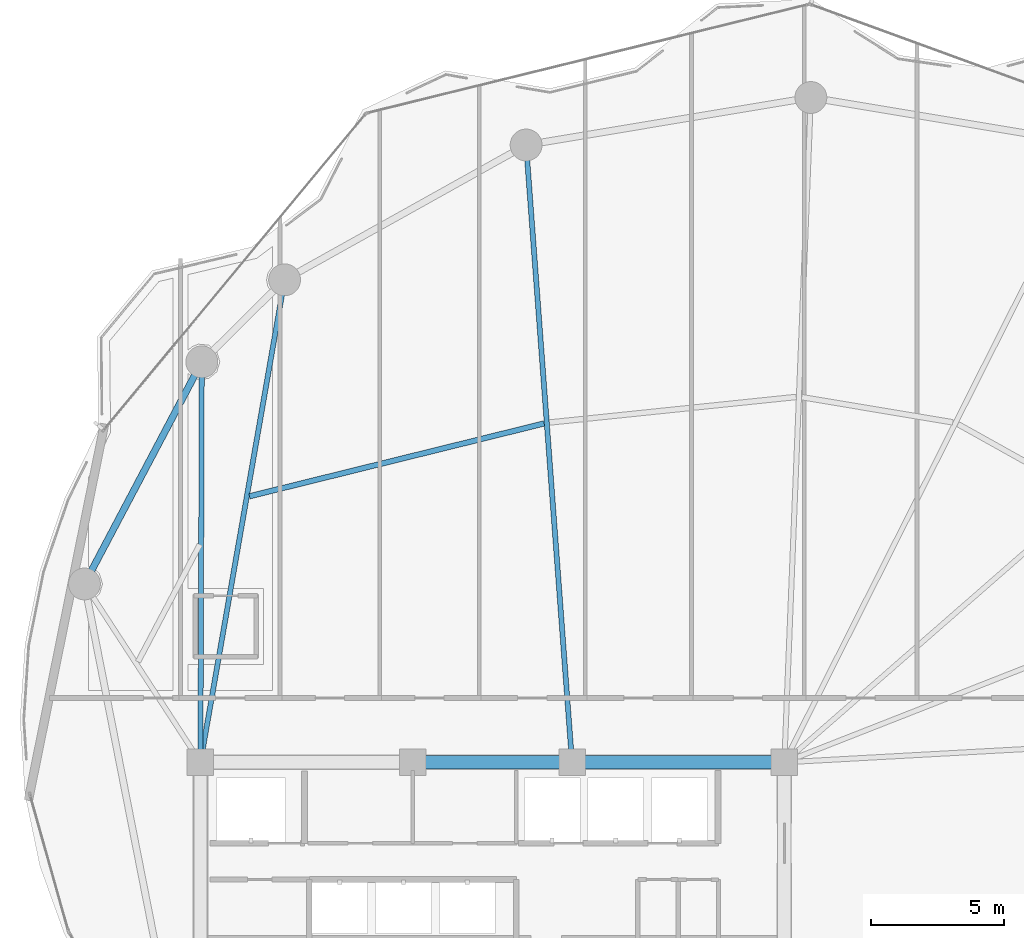
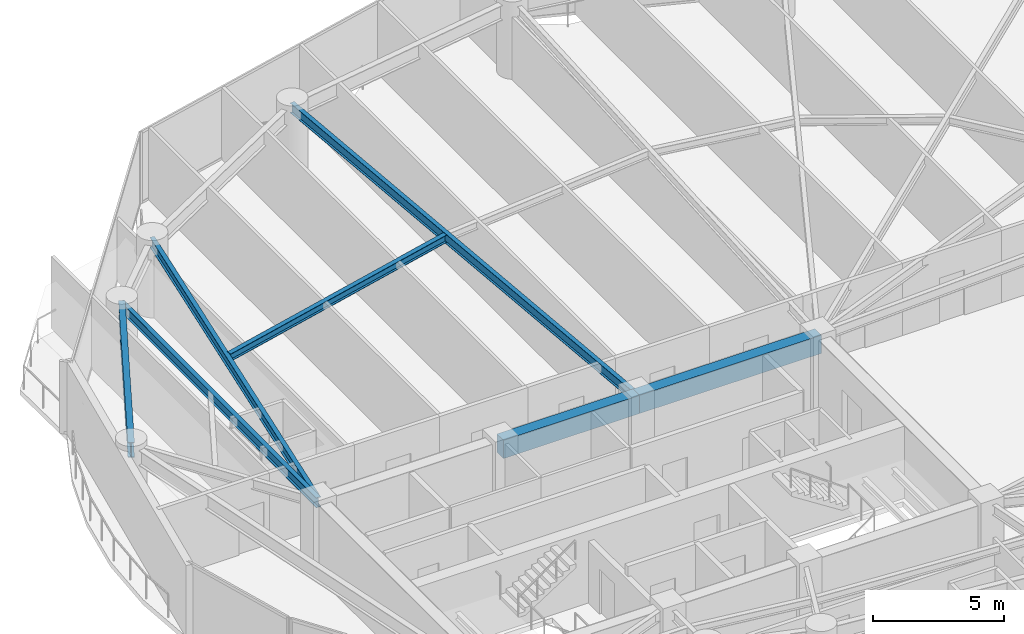
# One storey, part 8 of 28: 7 beams.
"""IFC4 building model written with IfcOpenShell, lengths in metres."""

from ifc_helpers import new_model, si_unit, direction, frame, origin, origin_2d, place, context, subcontext, project, spatial, rectangle, i_section, extrude, material, material_profile, profile_set, type_object, element, save


model = new_model("IFC4")

# Units and contexts
model_context = context("Model", 3, precision=1e-05, world=origin(), true_north=direction((0.0, 1.0)))
body_context = subcontext(model_context, "Body", "Model", "MODEL_VIEW")
ifc_project = project(units=[si_unit("LENGTHUNIT", "METRE"), si_unit("AREAUNIT", "SQUARE_METRE"), si_unit("VOLUMEUNIT", "CUBIC_METRE"), si_unit("PLANEANGLEUNIT", "RADIAN"), si_unit("MASSUNIT", "GRAM", prefix="KILO")], contexts=[model_context])

# Site, building, storey
site_placement = place(None, origin())
site = spatial("IfcSite", under=ifc_project, at=site_placement, CompositionType="ELEMENT")
building_placement = place(site_placement, origin())
building = spatial("IfcBuilding", under=site, at=building_placement, Name="Kazevale Care Tower and Concert Hall", CompositionType="ELEMENT")
storey_placement = place(building_placement, frame((0.0, 0.0, 120.60009765625)))
storey = spatial("IfcBuildingStorey", under=building, at=storey_placement, Name="L31", CompositionType="ELEMENT", Elevation=120.60009765625)

# Beams
ifc_material_1 = material(Name="Concrete C60", Category="concrete")
ifc_material_profile_1 = material_profile(ifc_material_1, rectangle(XDim=0.5, YDim=0.85009765625, at=origin_2d()), Name="RC-B500x850")
ifc_profile_set_1 = profile_set([ifc_material_profile_1], Name="Concrete C60")
beam_type_1 = type_object("IfcBeamType", Name="Core Coupling Beam RC500x850", PredefinedType="LINTEL", material=ifc_profile_set_1)
beam_1_placement = place(storey_placement, frame((44.0, 36.39990234375, 2.934814453125), z_axis=(-1.0, 0.0, 0.0), x_axis=(0.0, -1.0, 0.0)))
element("IfcBeam", 1, at=beam_1_placement, inside=storey, type_object=beam_type_1, Name="beam:L31:coretie:5", PredefinedType="LINTEL", context=body_context, shape_type="SweptSolid", body=[
    extrude(rectangle(XDim=0.5, YDim=0.85009765625, at=origin_2d()), origin(), (0.0, 0.0, 1.0), 8.0),
])
beam_2_placement = place(storey_placement, frame((36.0, 36.39990234375, 2.934814453125), z_axis=(-1.0, 0.0, 0.0), x_axis=(0.0, -1.0, 0.0)))
element("IfcBeam", 2, at=beam_2_placement, inside=storey, type_object=beam_type_1, Name="beam:L31:coretie:6", PredefinedType="LINTEL", context=body_context, shape_type="SweptSolid", body=[
    extrude(rectangle(XDim=0.5, YDim=0.85009765625, at=origin_2d()), origin(), (0.0, 0.0, 1.0), 6.0),
])
ifc_material_2 = material(Name="Steel ASTM A572 Gr 50", Category="steel")
ifc_material_profile_2 = material_profile(ifc_material_2, i_section(OverallWidth=0.19091796875, OverallDepth=0.4599609375, WebThickness=0.010009765625, FlangeThickness=0.01611328125, at=origin_2d()), Name="W460x82")
ifc_profile_set_2 = profile_set([ifc_material_profile_2], Name="Steel ASTM A572 Gr 50")
beam_type_2 = type_object("IfcBeamType", Name="Radial Floor Beam W460x82", PredefinedType="BEAM", material=ifc_profile_set_2)
beam_3_placement = place(storey_placement, frame((36.0, 36.39990234375, 3.1298828125), z_axis=(-0.074170876808, 0.997245547011, 0.0), x_axis=(-0.997245547011, -0.074170876808, 0.0)))
element("IfcBeam", 3, at=beam_3_placement, inside=storey, type_object=beam_type_2, Name="beam:L31:rad:06", PredefinedType="BEAM", context=body_context, shape_type="SweptSolid", body=[
    extrude(i_section(OverallWidth=0.19091796875, OverallDepth=0.4599609375, WebThickness=0.010009765625, FlangeThickness=0.01611328125, at=origin_2d()), origin(), (0.0, 0.0, 1.0), 23.32421875),
])
beam_4_placement = place(storey_placement, frame((22.0, 36.39990234375, 3.1298828125), z_axis=(0.171769935245, 0.985137091651, 0.0), x_axis=(-0.985137091651, 0.171769935245, 0.0)))
element("IfcBeam", 4, at=beam_4_placement, inside=storey, type_object=beam_type_2, Name="beam:L31:rad:07", PredefinedType="BEAM", context=body_context, shape_type="SweptSolid", body=[
    extrude(i_section(OverallWidth=0.19091796875, OverallDepth=0.4599609375, WebThickness=0.010009765625, FlangeThickness=0.01611328125, at=origin_2d()), origin(), (0.0, 0.0, 1.0), 18.454345703125),
])
beam_5_placement = place(storey_placement, frame((22.0, 36.39990234375, 3.1298828125), z_axis=(0.003316650851, 0.999994499898, 0.0), x_axis=(-0.999994499898, 0.003316650851, 0.0)))
element("IfcBeam", 5, at=beam_5_placement, inside=storey, type_object=beam_type_2, Name="beam:L31:rad:08", PredefinedType="BEAM", context=body_context, shape_type="SweptSolid", body=[
    extrude(i_section(OverallWidth=0.19091796875, OverallDepth=0.4599609375, WebThickness=0.010009765625, FlangeThickness=0.01611328125, at=origin_2d()), origin(), (0.0, 0.0, 1.0), 15.090087890625),
])
ifc_material_profile_3 = material_profile(ifc_material_2, i_section(OverallWidth=0.205078125, OverallDepth=0.35400390625, WebThickness=0.009521484375, FlangeThickness=0.016845703125, at=origin_2d()), Name="W360x79")
ifc_profile_set_3 = profile_set([ifc_material_profile_3], Name="Steel ASTM A572 Gr 50")
beam_type_3 = type_object("IfcBeamType", Name="Secondary Floor Joist W360x79", PredefinedType="JOIST", material=ifc_profile_set_3)
beam_6_placement = place(storey_placement, frame((34.947021484375, 49.16796875, 3.182861328125), z_axis=(-0.970789504014, -0.239932779954, 0.0), x_axis=(0.239932779954, -0.970789504014, 0.0)))
element("IfcBeam", 6, at=beam_6_placement, inside=storey, type_object=beam_type_3, Name="beam:L31:joist:06", PredefinedType="JOIST", context=body_context, shape_type="SweptSolid", body=[
    extrude(i_section(OverallWidth=0.205078125, OverallDepth=0.35400390625, WebThickness=0.009521484375, FlangeThickness=0.016845703125, at=origin_2d()), origin(), (0.0, 0.0, 1.0), 11.43603515625),
])
ifc_material_profile_4 = material_profile(ifc_material_2, i_section(OverallWidth=0.256103515625, OverallDepth=0.693115234375, WebThickness=0.014404296875, FlangeThickness=0.023681640625, at=origin_2d()), Name="W690x170")
ifc_profile_set_4 = profile_set([ifc_material_profile_4], Name="Steel ASTM A572 Gr 50")
beam_type_4 = type_object("IfcBeamType", Name="Waist Ring Beam W690x170", PredefinedType="BEAM", material=ifc_profile_set_4)
beam_7_placement = place(storey_placement, frame((22.050048828125, 51.489990234375, 3.013427734375), z_axis=(-0.466984438127, -0.884265533959, 0.0), x_axis=(0.884265533959, -0.466984438127, 0.0)))
element("IfcBeam", 7, at=beam_7_placement, inside=storey, type_object=beam_type_4, Name="beam:L31:ring:08", PredefinedType="BEAM", context=body_context, shape_type="SweptSolid", body=[
    extrude(i_section(OverallWidth=0.256103515625, OverallDepth=0.693115234375, WebThickness=0.014404296875, FlangeThickness=0.023681640625, at=origin_2d()), origin(), (0.0, 0.0, 1.0), 9.46533203125),
])

save(model, "model.ifc")
